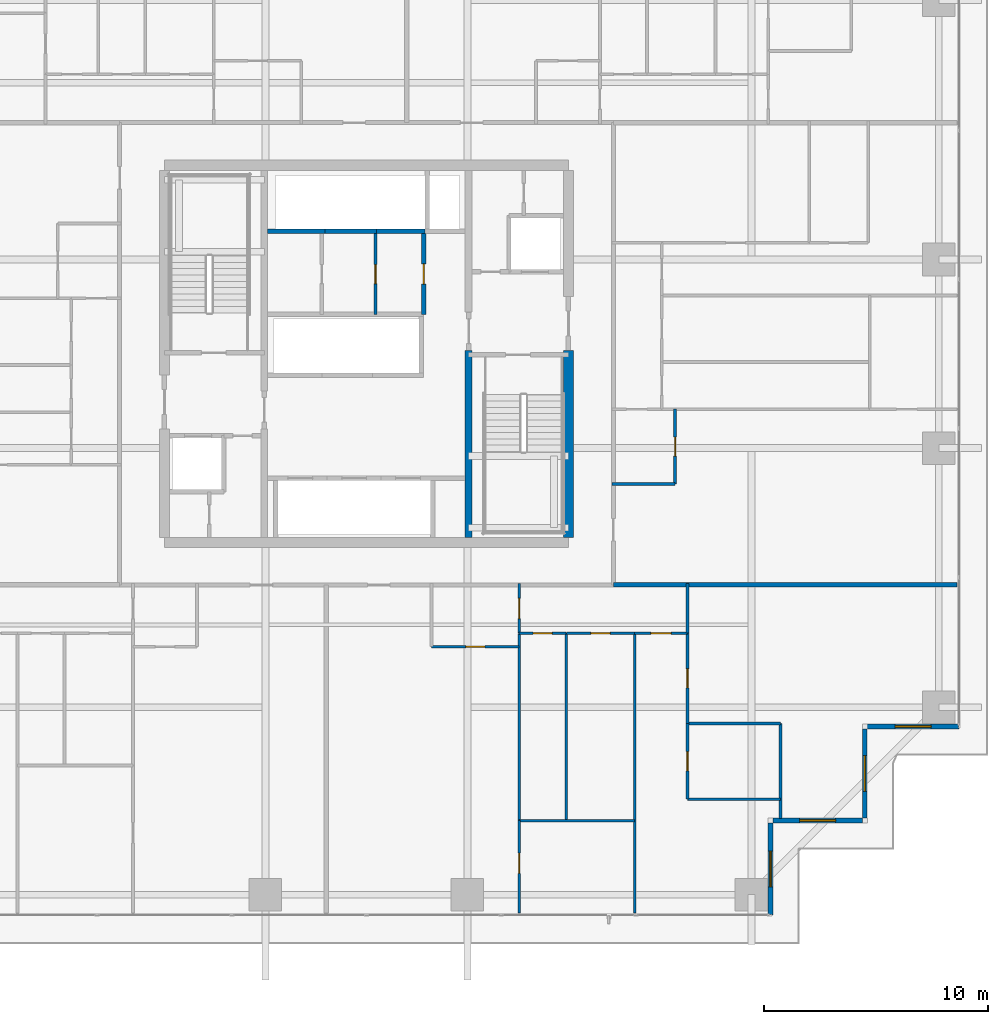
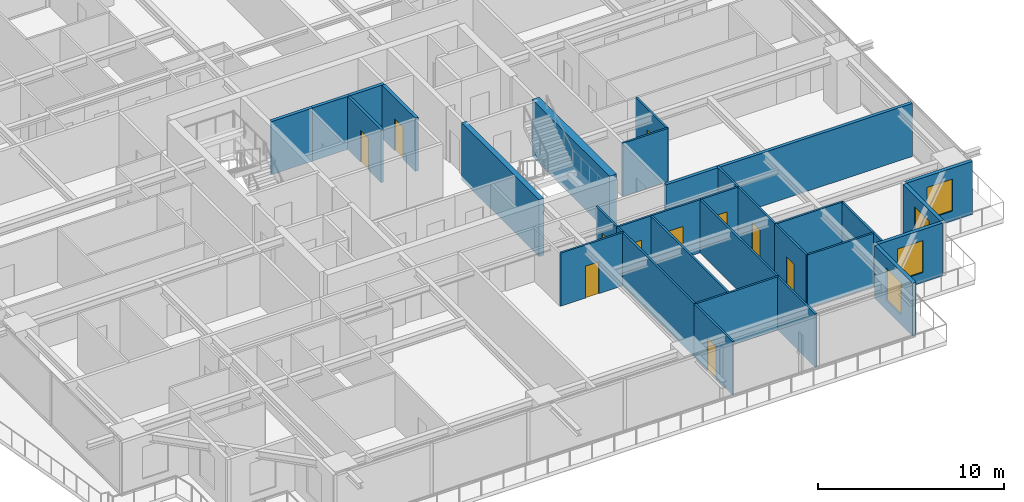
# One storey, part 25 of 36: 30 walls, 11 doors, 4 windows, 15 openings.
"""IFC4 building model written with IfcOpenShell, lengths in metres."""

from ifc_helpers import new_model, si_unit, direction, frame, frame_2d, origin, place, context, subcontext, project, spatial, rectangle, extrude, source, transform, mapped, material, layer, layer_set, type_object, element, fill, save


model = new_model("IFC4")

# Units and contexts
model_context = context("Model", 3, precision=1e-05, world=origin(), true_north=direction((0.0, 1.0)))
body_context = subcontext(model_context, "Body", "Model", "MODEL_VIEW")
ifc_project = project(units=[si_unit("LENGTHUNIT", "METRE"), si_unit("AREAUNIT", "SQUARE_METRE"), si_unit("VOLUMEUNIT", "CUBIC_METRE"), si_unit("PLANEANGLEUNIT", "RADIAN"), si_unit("MASSUNIT", "GRAM", prefix="KILO")], contexts=[model_context])

# Site, building, storey
site_placement = place(None, origin())
site = spatial("IfcSite", under=ifc_project, at=site_placement, CompositionType="ELEMENT")
building_placement = place(site_placement, origin())
building = spatial("IfcBuilding", under=site, at=building_placement, Name="Serunith Strait Residences", CompositionType="ELEMENT")
storey_placement = place(building_placement, frame((0.0, 0.0, 41.699951171875)))
storey = spatial("IfcBuildingStorey", under=building, at=storey_placement, Name="L09", CompositionType="ELEMENT", Elevation=41.699951171875)

# Wall, opening, window
ifc_material_1 = material(Name="Pale-Champagne Aluminium Insulated Panel", Category="aluminium")
ifc_layer_1 = layer(ifc_material_1, 0.219970703125, Name="Pale-Champagne Aluminium Insulated Panel")
ifc_layer_set_1 = layer_set([ifc_layer_1], Name="Pale-Champagne Aluminium Insulated Panel")
wall_type_1 = type_object("IfcWallType", Name="EW-ALUM-220", PredefinedType="ELEMENTEDWALL", material=ifc_layer_set_1)
wall_1_placement = place(storey_placement, frame((50.39990234375, 0.199951171875, 0.0), z_axis=(0.0, 0.0, 1.0), x_axis=(0.0, 1.0, 0.0)))
wall_1 = element("IfcWall", 1, at=wall_1_placement, inside=storey, type_object=wall_type_1, Name="L09 Girih Serrated Corner Wall 02", PredefinedType="ELEMENTEDWALL", context=body_context, shape_type="SweptSolid", body=[
    extrude(rectangle(XDim=4.090087890625, YDim=0.219970703125, at=frame_2d((2.044921875, 0.0))), origin(), (0.0, 0.0, 1.0), 3.47509765625),
])
opening_1_placement = place(wall_1_placement, frame((1.2451171875, 0.0, 0.64990234375)))
opening_1 = element("IfcOpeningElement", 2, at=opening_1_placement, cuts=wall_1, Name="Opening W-02", PredefinedType="OPENING", context=body_context, shape_type="SweptSolid", body=[
    extrude(rectangle(XDim=1.60009765625, YDim=2.10009765625, at=frame_2d((0.800048828125, 1.050048828125))), frame((0.0, 0.1201171875, 0.0), z_axis=(0.0, -1.0, 0.0), x_axis=(1.0, 0.0, 0.0)), (0.0, 0.0, 1.0), 0.239990234375),
])
ifc_material_2 = material(Name="Ceramic-Fritted Operable Aluminium Window Glass", Category="aluminium")
window_type = type_object("IfcWindowType", Name="WIN-C2", PartitioningType="DOUBLE_PANEL_VERTICAL", PredefinedType="WINDOW", material=ifc_material_2)
shared_shape_1 = source(origin(), body_context, "Body", "SweptSolid", [
    extrude(rectangle(XDim=1.60009765625, YDim=2.10009765625, at=frame_2d((0.800048828125, 1.050048828125))), frame((0.0, 0.030029296875, 0.0), z_axis=(0.0, -1.0, 0.0), x_axis=(1.0, 0.0, 0.0)), (0.0, 0.0, 1.0), 0.06005859375),
])
window_1_placement = place(opening_1_placement, origin())
window_1 = element("IfcWindow", 3, at=window_1_placement, inside=storey, type_object=window_type, Name="L09 Corner Operable Fritted Window 02", OverallHeight=2.10009765625, OverallWidth=1.60009765625, PartitioningType="SINGLE_PANEL", PredefinedType="WINDOW", context=body_context, shape_type="MappedRepresentation", body=[
    mapped(shared_shape_1, transform((0.0, 0.0, 0.0), scale=1.0)),
])
fill(opening_1, window_1)

wall_2_placement = place(storey_placement, frame((50.510009765625, 4.39990234375, 0.0), z_axis=(0.0, 0.0, 1.0), x_axis=(1.0, 0.0, 0.0)))
wall_2 = element("IfcWall", 4, at=wall_2_placement, inside=storey, type_object=wall_type_1, Name="L09 Girih Serrated Corner Wall 03", PredefinedType="ELEMENTEDWALL", context=body_context, shape_type="SweptSolid", body=[
    extrude(rectangle(XDim=3.97998046875, YDim=0.219970703125, at=frame_2d((1.989990234375, 0.0))), origin(), (0.0, 0.0, 1.0), 3.47509765625),
])
opening_2_placement = place(wall_2_placement, frame((1.18994140625, 0.0, 0.64990234375)))
opening_2 = element("IfcOpeningElement", 5, at=opening_2_placement, cuts=wall_2, Name="Opening W-02", PredefinedType="OPENING", context=body_context, shape_type="SweptSolid", body=[
    extrude(rectangle(XDim=1.60009765625, YDim=2.10009765625, at=frame_2d((0.800048828125, 1.050048828125))), frame((0.0, 0.1201171875, 0.0), z_axis=(0.0, -1.0, 0.0), x_axis=(1.0, 0.0, 0.0)), (0.0, 0.0, 1.0), 0.239990234375),
])
window_2_placement = place(opening_2_placement, origin())
window_2 = element("IfcWindow", 6, at=window_2_placement, inside=storey, type_object=window_type, Name="L09 Corner Operable Fritted Window 03", OverallHeight=2.10009765625, OverallWidth=1.60009765625, PartitioningType="SINGLE_PANEL", PredefinedType="WINDOW", context=body_context, shape_type="MappedRepresentation", body=[
    mapped(shared_shape_1, transform((0.0, 0.0, 0.0), scale=1.0)),
])
fill(opening_2, window_2)

wall_3_placement = place(storey_placement, frame((54.60009765625, 4.510009765625, 0.0), z_axis=(0.0, 0.0, 1.0), x_axis=(0.0, 1.0, 0.0)))
wall_3 = element("IfcWall", 7, at=wall_3_placement, inside=storey, type_object=wall_type_1, Name="L09 Girih Serrated Corner Wall 04", PredefinedType="ELEMENTEDWALL", context=body_context, shape_type="SweptSolid", body=[
    extrude(rectangle(XDim=3.97998046875, YDim=0.219970703125, at=frame_2d((1.989990234375, 0.0))), origin(), (0.0, 0.0, 1.0), 3.47509765625),
])
opening_3_placement = place(wall_3_placement, frame((1.18994140625, 0.0, 0.64990234375)))
opening_3 = element("IfcOpeningElement", 8, at=opening_3_placement, cuts=wall_3, Name="Opening W-02", PredefinedType="OPENING", context=body_context, shape_type="SweptSolid", body=[
    extrude(rectangle(XDim=1.60009765625, YDim=2.10009765625, at=frame_2d((0.800048828125, 1.050048828125))), frame((0.0, 0.1201171875, 0.0), z_axis=(0.0, -1.0, 0.0), x_axis=(1.0, 0.0, 0.0)), (0.0, 0.0, 1.0), 0.239990234375),
])
window_3_placement = place(opening_3_placement, origin())
window_3 = element("IfcWindow", 9, at=window_3_placement, inside=storey, type_object=window_type, Name="L09 Corner Operable Fritted Window 04", OverallHeight=2.10009765625, OverallWidth=1.60009765625, PartitioningType="SINGLE_PANEL", PredefinedType="WINDOW", context=body_context, shape_type="MappedRepresentation", body=[
    mapped(shared_shape_1, transform((0.0, 0.0, 0.0), scale=1.0)),
])
fill(opening_3, window_3)

wall_4_placement = place(storey_placement, frame((54.7099609375, 8.60009765625, 0.0), z_axis=(0.0, 0.0, 1.0), x_axis=(1.0, 0.0, 0.0)))
wall_4 = element("IfcWall", 10, at=wall_4_placement, inside=storey, type_object=wall_type_1, Name="L09 Girih Serrated Corner Wall 05", PredefinedType="ELEMENTEDWALL", context=body_context, shape_type="SweptSolid", body=[
    extrude(rectangle(XDim=4.090087890625, YDim=0.219970703125, at=frame_2d((2.044921875, 0.0))), origin(), (0.0, 0.0, 1.0), 3.47509765625),
])
opening_4_placement = place(wall_4_placement, frame((1.2451171875, 0.0, 0.64990234375)))
opening_4 = element("IfcOpeningElement", 11, at=opening_4_placement, cuts=wall_4, Name="Opening W-02", PredefinedType="OPENING", context=body_context, shape_type="SweptSolid", body=[
    extrude(rectangle(XDim=1.60009765625, YDim=2.10009765625, at=frame_2d((0.800048828125, 1.050048828125))), frame((0.0, 0.1201171875, 0.0), z_axis=(0.0, -1.0, 0.0), x_axis=(1.0, 0.0, 0.0)), (0.0, 0.0, 1.0), 0.239990234375),
])
window_4_placement = place(opening_4_placement, origin())
window_4 = element("IfcWindow", 12, at=window_4_placement, inside=storey, type_object=window_type, Name="L09 Corner Operable Fritted Window 05", OverallHeight=2.10009765625, OverallWidth=1.60009765625, PartitioningType="SINGLE_PANEL", PredefinedType="WINDOW", context=body_context, shape_type="MappedRepresentation", body=[
    mapped(shared_shape_1, transform((0.0, 0.0, 0.0), scale=1.0)),
])
fill(opening_4, window_4)

# Wall, opening, door
ifc_material_3 = material(Name="Fire-rated masonry service closet wall", Category="masonry")
ifc_layer_2 = layer(ifc_material_3, 0.14990234375, Name="Fire-rated masonry service closet wall")
ifc_layer_set_2 = layer_set([ifc_layer_2], Name="Fire-rated masonry service closet wall")
wall_type_2 = type_object("IfcWallType", Name="IW-BOH-150", PredefinedType="PARTITIONING", material=ifc_layer_set_2)
wall_5_placement = place(storey_placement, frame((32.800048828125, 26.949951171875, 0.0), z_axis=(0.0, 0.0, 1.0), x_axis=(0.0, 1.0, 0.0)))
wall_5 = element("IfcWall", 13, at=wall_5_placement, inside=storey, type_object=wall_type_2, Name="L09 Partition Wall 015", PredefinedType="PARTITIONING", context=body_context, shape_type="SweptSolid", body=[
    extrude(rectangle(XDim=3.60009765625, YDim=0.14990234375, at=frame_2d((1.800048828125, 0.0))), origin(), (0.0, 0.0, 1.0), 3.489990234375),
])
opening_5_placement = place(wall_5_placement, frame((1.375, 0.0, 0.0)))
opening_5 = element("IfcOpeningElement", 14, at=opening_5_placement, cuts=wall_5, Name="Opening FD-850", PredefinedType="OPENING", context=body_context, shape_type="SweptSolid", body=[
    extrude(rectangle(XDim=0.85009765625, YDim=2.10009765625, at=frame_2d((0.425048828125, 1.050048828125))), frame((0.0, 0.0849609375, 0.0), z_axis=(0.0, -1.0, 0.0), x_axis=(1.0, 0.0, 0.0)), (0.0, 0.0, 1.0), 0.169921875),
])
ifc_material_4 = material(Name="Powder-coated steel service closet door", Category="steel")
door_type_1 = type_object("IfcDoorType", Name="FD-BOH-850", OperationType="NOTDEFINED", PredefinedType="DOOR", material=ifc_material_4)
shared_shape_2 = source(origin(), body_context, "Body", "SweptSolid", [
    extrude(rectangle(XDim=0.85009765625, YDim=2.10009765625, at=frame_2d((0.425048828125, 1.050048828125))), frame((0.0, 0.02490234375, 0.0), z_axis=(0.0, -1.0, 0.0), x_axis=(1.0, 0.0, 0.0)), (0.0, 0.0, 1.0), 0.050048828125),
])
door_1_placement = place(opening_5_placement, origin())
door_1 = element("IfcDoor", 15, at=door_1_placement, inside=storey, type_object=door_type_1, Name="L09 Linen Store Door", OperationType="SINGLE_SWING_LEFT", OverallHeight=2.10009765625, OverallWidth=0.85009765625, PredefinedType="DOOR", context=body_context, shape_type="MappedRepresentation", body=[
    mapped(shared_shape_2, transform((0.0, 0.0, 0.0), scale=1.0)),
])
fill(opening_5, door_1)

ifc_material_5 = material(Name="Lightweight steel-stud gypsum partition", Category="steel")
ifc_layer_3 = layer(ifc_material_5, 0.1201171875, Name="Lightweight steel-stud gypsum partition")
ifc_layer_set_3 = layer_set([ifc_layer_3], Name="Lightweight steel-stud gypsum partition")
wall_type_3 = type_object("IfcWallType", Name="IW-PART-120", PredefinedType="PARTITIONING", material=ifc_layer_set_3)
wall_6_placement = place(storey_placement, frame((35.300048828125, 12.14990234375, 0.0), z_axis=(0.0, 0.0, 1.0), x_axis=(1.0, 0.0, 0.0)))
wall_6 = element("IfcWall", 16, at=wall_6_placement, inside=storey, type_object=wall_type_3, Name="L09 Partition Wall 044", PredefinedType="PARTITIONING", context=body_context, shape_type="SweptSolid", body=[
    extrude(rectangle(XDim=3.89990234375, YDim=0.1201171875, at=frame_2d((1.949951171875, 0.0))), origin(), (0.0, 0.0, 1.0), 3.489990234375),
])
opening_6_placement = place(wall_6_placement, frame((1.52490234375, 0.0, 0.0)))
opening_6 = element("IfcOpeningElement", 17, at=opening_6_placement, cuts=wall_6, Name="Opening D-RM850", PredefinedType="OPENING", context=body_context, shape_type="SweptSolid", body=[
    extrude(rectangle(XDim=0.85009765625, YDim=2.10009765625, at=frame_2d((0.425048828125, 1.050048828125))), frame((0.0, 0.070068359375, 0.0), z_axis=(0.0, -1.0, 0.0), x_axis=(1.0, 0.0, 0.0)), (0.0, 0.0, 1.0), 0.14013671875),
])
ifc_material_6 = material(Name="Engineered timber flush study and kitchen door", Category="wood")
door_type_2 = type_object("IfcDoorType", Name="ID-ROOM-850", OperationType="NOTDEFINED", PredefinedType="DOOR", material=ifc_material_6)
door_2_placement = place(opening_6_placement, origin())
door_2 = element("IfcDoor", 18, at=door_2_placement, inside=storey, type_object=door_type_2, Name="L09 Kitchen 0902 Door", OperationType="SINGLE_SWING_LEFT", OverallHeight=2.10009765625, OverallWidth=0.85009765625, PredefinedType="DOOR", context=body_context, shape_type="MappedRepresentation", body=[
    mapped(shared_shape_2, transform((0.0, 0.0, 0.0), scale=1.0)),
])
fill(opening_6, door_2)

wall_7_placement = place(storey_placement, frame((39.199951171875, 12.75, 0.0), z_axis=(0.0, 0.0, 1.0), x_axis=(0.0, 1.0, 0.0)))
wall_7 = element("IfcWall", 19, at=wall_7_placement, inside=storey, type_object=wall_type_3, Name="L09 Partition Wall 046", PredefinedType="PARTITIONING", context=body_context, shape_type="SweptSolid", body=[
    extrude(rectangle(XDim=2.2099609375, YDim=0.1201171875, at=frame_2d((1.10498046875, 0.0))), origin(), (0.0, 0.0, 1.0), 3.489990234375),
])
opening_7_placement = place(wall_7_placement, frame((0.655029296875, 0.0, 0.0)))
opening_7 = element("IfcOpeningElement", 20, at=opening_7_placement, cuts=wall_7, Name="Opening D-RM900", PredefinedType="OPENING", context=body_context, shape_type="SweptSolid", body=[
    extrude(rectangle(XDim=0.89990234375, YDim=2.10009765625, at=frame_2d((0.449951171875, 1.050048828125))), frame((0.0, 0.070068359375, 0.0), z_axis=(0.0, -1.0, 0.0), x_axis=(1.0, 0.0, 0.0)), (0.0, 0.0, 1.0), 0.14013671875),
])
ifc_material_7 = material(Name="Engineered timber flush bedroom door", Category="wood")
door_type_3 = type_object("IfcDoorType", Name="ID-ROOM-900", OperationType="NOTDEFINED", PredefinedType="DOOR", material=ifc_material_7)
shared_shape_3 = source(origin(), body_context, "Body", "SweptSolid", [
    extrude(rectangle(XDim=0.89990234375, YDim=2.10009765625, at=frame_2d((0.449951171875, 1.050048828125))), frame((0.0, 0.02490234375, 0.0), z_axis=(0.0, -1.0, 0.0), x_axis=(1.0, 0.0, 0.0)), (0.0, 0.0, 1.0), 0.050048828125),
])
door_3_placement = place(opening_7_placement, origin())
door_3 = element("IfcDoor", 21, at=door_3_placement, inside=storey, type_object=door_type_3, Name="L09 Hall E 0902 Door", OperationType="SINGLE_SWING_RIGHT", OverallHeight=2.10009765625, OverallWidth=0.89990234375, PredefinedType="DOOR", context=body_context, shape_type="MappedRepresentation", body=[
    mapped(shared_shape_3, transform((0.0, 0.0, 0.0), scale=1.0)),
])
fill(opening_7, door_3)

wall_8_placement = place(storey_placement, frame((39.199951171875, 0.294921875, 0.0), z_axis=(0.0, 0.0, 1.0), x_axis=(0.0, 1.0, 0.0)))
wall_8 = element("IfcWall", 22, at=wall_8_placement, inside=storey, type_object=wall_type_3, Name="L09 Partition Wall 047", PredefinedType="PARTITIONING", context=body_context, shape_type="SweptSolid", body=[
    extrude(rectangle(XDim=4.10009765625, YDim=0.1201171875, at=frame_2d((2.050048828125, 0.0))), origin(), (0.0, 0.0, 1.0), 3.489990234375),
])
opening_8_placement = place(wall_8_placement, frame((1.760009765625, 0.0, 0.0)))
opening_8 = element("IfcOpeningElement", 23, at=opening_8_placement, cuts=wall_8, Name="Opening D-RM900", PredefinedType="OPENING", context=body_context, shape_type="SweptSolid", body=[
    extrude(rectangle(XDim=0.89990234375, YDim=2.10009765625, at=frame_2d((0.449951171875, 1.050048828125))), frame((0.0, 0.070068359375, 0.0), z_axis=(0.0, -1.0, 0.0), x_axis=(1.0, 0.0, 0.0)), (0.0, 0.0, 1.0), 0.14013671875),
])
door_4_placement = place(opening_8_placement, origin())
door_4 = element("IfcDoor", 24, at=door_4_placement, inside=storey, type_object=door_type_3, Name="L09 Study 1 0902 Door", OperationType="SINGLE_SWING_LEFT", OverallHeight=2.10009765625, OverallWidth=0.89990234375, PredefinedType="DOOR", context=body_context, shape_type="MappedRepresentation", body=[
    mapped(shared_shape_3, transform((0.0, 0.0, 0.0), scale=1.0)),
])
fill(opening_8, door_4)

# Walls
wall_9_placement = place(storey_placement, frame((39.199951171875, 4.39697265625, 0.0), z_axis=(0.0, 0.0, 1.0), x_axis=(0.0, 1.0, 0.0)))
element("IfcWall", 25, at=wall_9_placement, inside=storey, type_object=wall_type_3, Name="L09 Partition Wall 048", PredefinedType="PARTITIONING", context=body_context, shape_type="SweptSolid", body=[
    extrude(rectangle(XDim=8.35107421875, YDim=0.1201171875, at=frame_2d((4.175537109375, 0.0))), origin(), (0.0, 0.0, 1.0), 3.489990234375),
])
wall_10_placement = place(storey_placement, frame((39.199951171875, 4.39501953125, 0.0), z_axis=(0.0, 0.0, 1.0), x_axis=(1.0, 0.0, 0.0)))
element("IfcWall", 26, at=wall_10_placement, inside=storey, type_object=wall_type_3, Name="L09 Partition Wall 049", PredefinedType="PARTITIONING", context=body_context, shape_type="SweptSolid", body=[
    extrude(rectangle(XDim=5.150146484375, YDim=0.1201171875, at=frame_2d((2.5751953125, 0.0))), origin(), (0.0, 0.0, 1.0), 3.489990234375),
])
wall_11_placement = place(storey_placement, frame((44.35009765625, 0.294921875, 0.0), z_axis=(0.0, 0.0, 1.0), x_axis=(0.0, 1.0, 0.0)))
element("IfcWall", 27, at=wall_11_placement, inside=storey, type_object=wall_type_3, Name="L09 Partition Wall 050", PredefinedType="PARTITIONING", context=body_context, shape_type="SweptSolid", body=[
    extrude(rectangle(XDim=12.455078125, YDim=0.1201171875, at=frame_2d((6.2275390625, 0.0))), origin(), (0.0, 0.0, 1.0), 3.489990234375),
])
wall_12_placement = place(storey_placement, frame((41.300048828125, 4.39501953125, 0.0), z_axis=(0.0, 0.0, 1.0), x_axis=(0.0, 1.0, 0.0)))
element("IfcWall", 28, at=wall_12_placement, inside=storey, type_object=wall_type_3, Name="L09 Partition Wall 051", PredefinedType="PARTITIONING", context=body_context, shape_type="SweptSolid", body=[
    extrude(rectangle(XDim=8.35498046875, YDim=0.1201171875, at=frame_2d((4.177490234375, 0.0))), origin(), (0.0, 0.0, 1.0), 3.489990234375),
])

# Wall, opening, door
wall_13_placement = place(storey_placement, frame((39.199951171875, 12.75, 0.0), z_axis=(0.0, 0.0, 1.0), x_axis=(1.0, 0.0, 0.0)))
wall_13 = element("IfcWall", 29, at=wall_13_placement, inside=storey, type_object=wall_type_3, Name="L09 Partition Wall 052", PredefinedType="PARTITIONING", context=body_context, shape_type="SweptSolid", body=[
    extrude(rectangle(XDim=2.10009765625, YDim=0.1201171875, at=frame_2d((1.050048828125, 0.0))), origin(), (0.0, 0.0, 1.0), 3.489990234375),
])
opening_9_placement = place(wall_13_placement, frame((0.625, 0.0, 0.0)))
opening_9 = element("IfcOpeningElement", 30, at=opening_9_placement, cuts=wall_13, Name="Opening D-BTH850", PredefinedType="OPENING", context=body_context, shape_type="SweptSolid", body=[
    extrude(rectangle(XDim=0.85009765625, YDim=2.10009765625, at=frame_2d((0.425048828125, 1.050048828125))), frame((0.0, 0.070068359375, 0.0), z_axis=(0.0, -1.0, 0.0), x_axis=(1.0, 0.0, 0.0)), (0.0, 0.0, 1.0), 0.14013671875),
])
ifc_material_8 = material(Name="Moisture-resistant timber bathroom door", Category="wood")
door_type_4 = type_object("IfcDoorType", Name="ID-BATH-850", OperationType="NOTDEFINED", PredefinedType="DOOR", material=ifc_material_8)
door_5_placement = place(opening_9_placement, origin())
door_5 = element("IfcDoor", 31, at=door_5_placement, inside=storey, type_object=door_type_4, Name="L09 Bathroom 0902 Door", OperationType="SINGLE_SWING_RIGHT", OverallHeight=2.10009765625, OverallWidth=0.85009765625, PredefinedType="DOOR", context=body_context, shape_type="MappedRepresentation", body=[
    mapped(shared_shape_2, transform((0.0, 0.0, 0.0), scale=1.0)),
])
fill(opening_9, door_5)

wall_14_placement = place(storey_placement, frame((41.302001953125, 12.75, 0.0), z_axis=(0.0, 0.0, 1.0), x_axis=(1.0, 0.0, 0.0)))
wall_14 = element("IfcWall", 32, at=wall_14_placement, inside=storey, type_object=wall_type_3, Name="L09 Partition Wall 053", PredefinedType="PARTITIONING", context=body_context, shape_type="SweptSolid", body=[
    extrude(rectangle(XDim=3.048095703125, YDim=0.1201171875, at=frame_2d((1.52392578125, 0.0))), origin(), (0.0, 0.0, 1.0), 3.489990234375),
])
opening_10_placement = place(wall_14_placement, frame((1.09912109375, 0.0, 0.0)))
opening_10 = element("IfcOpeningElement", 33, at=opening_10_placement, cuts=wall_14, Name="Opening D-RM850", PredefinedType="OPENING", context=body_context, shape_type="SweptSolid", body=[
    extrude(rectangle(XDim=0.85009765625, YDim=2.10009765625, at=frame_2d((0.425048828125, 1.050048828125))), frame((0.0, 0.070068359375, 0.0), z_axis=(0.0, -1.0, 0.0), x_axis=(1.0, 0.0, 0.0)), (0.0, 0.0, 1.0), 0.14013671875),
])
door_6_placement = place(opening_10_placement, origin())
door_6 = element("IfcDoor", 34, at=door_6_placement, inside=storey, type_object=door_type_2, Name="L09 Study 0902 Door", OperationType="SINGLE_SWING_LEFT", OverallHeight=2.10009765625, OverallWidth=0.85009765625, PredefinedType="DOOR", context=body_context, shape_type="MappedRepresentation", body=[
    mapped(shared_shape_2, transform((0.0, 0.0, 0.0), scale=1.0)),
])
fill(opening_10, door_6)

wall_15_placement = place(storey_placement, frame((44.35205078125, 12.75, 0.0), z_axis=(0.0, 0.0, 1.0), x_axis=(1.0, 0.0, 0.0)))
wall_15 = element("IfcWall", 35, at=wall_15_placement, inside=storey, type_object=wall_type_3, Name="L09 Partition Wall 054", PredefinedType="PARTITIONING", context=body_context, shape_type="SweptSolid", body=[
    extrude(rectangle(XDim=2.347900390625, YDim=0.1201171875, at=frame_2d((1.173828125, 0.0))), origin(), (0.0, 0.0, 1.0), 3.489990234375),
])
opening_11_placement = place(wall_15_placement, frame((0.72412109375, 0.0, 0.0)))
opening_11 = element("IfcOpeningElement", 36, at=opening_11_placement, cuts=wall_15, Name="Opening D-RM900", PredefinedType="OPENING", context=body_context, shape_type="SweptSolid", body=[
    extrude(rectangle(XDim=0.89990234375, YDim=2.10009765625, at=frame_2d((0.449951171875, 1.050048828125))), frame((0.0, 0.070068359375, 0.0), z_axis=(0.0, -1.0, 0.0), x_axis=(1.0, 0.0, 0.0)), (0.0, 0.0, 1.0), 0.14013671875),
])
door_7_placement = place(opening_11_placement, origin())
door_7 = element("IfcDoor", 37, at=door_7_placement, inside=storey, type_object=door_type_3, Name="L09 Master Bedroom E 0902 Door", OperationType="SINGLE_SWING_RIGHT", OverallHeight=2.10009765625, OverallWidth=0.89990234375, PredefinedType="DOOR", context=body_context, shape_type="MappedRepresentation", body=[
    mapped(shared_shape_3, transform((0.0, 0.0, 0.0), scale=1.0)),
])
fill(opening_11, door_7)

# Walls
wall_16_placement = place(storey_placement, frame((46.699951171875, 5.35791015625, 0.0), z_axis=(0.0, 0.0, 1.0), x_axis=(1.0, 0.0, 0.0)))
element("IfcWall", 38, at=wall_16_placement, inside=storey, type_object=wall_type_3, Name="L09 Partition Wall 055", PredefinedType="PARTITIONING", context=body_context, shape_type="SweptSolid", body=[
    extrude(rectangle(XDim=4.150146484375, YDim=0.1201171875, at=frame_2d((2.0751953125, 0.0))), origin(), (0.0, 0.0, 1.0), 3.489990234375),
])
wall_17_placement = place(storey_placement, frame((50.85009765625, 4.4951171875, 0.0), z_axis=(0.0, 0.0, 1.0), x_axis=(0.0, 1.0, 0.0)))
element("IfcWall", 39, at=wall_17_placement, inside=storey, type_object=wall_type_3, Name="L09 Partition Wall 056", PredefinedType="PARTITIONING", context=body_context, shape_type="SweptSolid", body=[
    extrude(rectangle(XDim=4.23583984375, YDim=0.1201171875, at=frame_2d((2.117919921875, 0.0))), origin(), (0.0, 0.0, 1.0), 3.489990234375),
])
wall_18_placement = place(storey_placement, frame((46.699951171875, 8.73095703125, 0.0), z_axis=(0.0, 0.0, 1.0), x_axis=(1.0, 0.0, 0.0)))
element("IfcWall", 40, at=wall_18_placement, inside=storey, type_object=wall_type_3, Name="L09 Partition Wall 057", PredefinedType="PARTITIONING", context=body_context, shape_type="SweptSolid", body=[
    extrude(rectangle(XDim=4.150146484375, YDim=0.1201171875, at=frame_2d((2.0751953125, 0.0))), origin(), (0.0, 0.0, 1.0), 3.489990234375),
])

# Wall, opening, door
wall_19_placement = place(storey_placement, frame((46.699951171875, 5.35791015625, 0.0), z_axis=(0.0, 0.0, 1.0), x_axis=(0.0, 1.0, 0.0)))
wall_19 = element("IfcWall", 41, at=wall_19_placement, inside=storey, type_object=wall_type_3, Name="L09 Partition Wall 058", PredefinedType="PARTITIONING", context=body_context, shape_type="SweptSolid", body=[
    extrude(rectangle(XDim=3.373046875, YDim=0.1201171875, at=frame_2d((1.6865234375, 0.0))), origin(), (0.0, 0.0, 1.0), 3.489990234375),
])
opening_12_placement = place(wall_19_placement, frame((1.261962890625, 0.0, 0.0)))
opening_12 = element("IfcOpeningElement", 42, at=opening_12_placement, cuts=wall_19, Name="Opening D-BTH850", PredefinedType="OPENING", context=body_context, shape_type="SweptSolid", body=[
    extrude(rectangle(XDim=0.85009765625, YDim=2.10009765625, at=frame_2d((0.425048828125, 1.050048828125))), frame((0.0, 0.070068359375, 0.0), z_axis=(0.0, -1.0, 0.0), x_axis=(1.0, 0.0, 0.0)), (0.0, 0.0, 1.0), 0.14013671875),
])
door_8_placement = place(opening_12_placement, origin())
door_8 = element("IfcDoor", 43, at=door_8_placement, inside=storey, type_object=door_type_4, Name="L09 En-suite Bathroom E 0902 Door", OperationType="SINGLE_SWING_LEFT", OverallHeight=2.10009765625, OverallWidth=0.85009765625, PredefinedType="DOOR", context=body_context, shape_type="MappedRepresentation", body=[
    mapped(shared_shape_2, transform((0.0, 0.0, 0.0), scale=1.0)),
])
fill(opening_12, door_8)

wall_20_placement = place(storey_placement, frame((46.699951171875, 8.73291015625, 0.0), z_axis=(0.0, 0.0, 1.0), x_axis=(0.0, 1.0, 0.0)))
wall_20 = element("IfcWall", 44, at=wall_20_placement, inside=storey, type_object=wall_type_3, Name="L09 Partition Wall 059", PredefinedType="PARTITIONING", context=body_context, shape_type="SweptSolid", body=[
    extrude(rectangle(XDim=4.01708984375, YDim=0.1201171875, at=frame_2d((2.008544921875, 0.0))), origin(), (0.0, 0.0, 1.0), 3.489990234375),
])
opening_13_placement = place(wall_20_placement, frame((1.5830078125, 0.0, 0.0)))
opening_13 = element("IfcOpeningElement", 45, at=opening_13_placement, cuts=wall_20, Name="Opening D-RM850", PredefinedType="OPENING", context=body_context, shape_type="SweptSolid", body=[
    extrude(rectangle(XDim=0.85009765625, YDim=2.10009765625, at=frame_2d((0.425048828125, 1.050048828125))), frame((0.0, 0.070068359375, 0.0), z_axis=(0.0, -1.0, 0.0), x_axis=(1.0, 0.0, 0.0)), (0.0, 0.0, 1.0), 0.14013671875),
])
door_9_placement = place(opening_13_placement, origin())
door_9 = element("IfcDoor", 46, at=door_9_placement, inside=storey, type_object=door_type_2, Name="L09 Wardrobe E 0902 Door", OperationType="SINGLE_SWING_RIGHT", OverallHeight=2.10009765625, OverallWidth=0.85009765625, PredefinedType="DOOR", context=body_context, shape_type="MappedRepresentation", body=[
    mapped(shared_shape_2, transform((0.0, 0.0, 0.0), scale=1.0)),
])
fill(opening_13, door_9)

# Wall
wall_21_placement = place(storey_placement, frame((46.699951171875, 12.751953125, 0.0), z_axis=(0.0, 0.0, 1.0), x_axis=(0.0, 1.0, 0.0)))
element("IfcWall", 47, at=wall_21_placement, inside=storey, type_object=wall_type_3, Name="L09 Partition Wall 060", PredefinedType="PARTITIONING", context=body_context, shape_type="SweptSolid", body=[
    extrude(rectangle(XDim=2.2080078125, YDim=0.1201171875, at=frame_2d((1.10400390625, 0.0))), origin(), (0.0, 0.0, 1.0), 3.489990234375),
])

# Wall, opening, door
wall_22_placement = place(storey_placement, frame((46.14990234375, 19.39990234375, 0.0), z_axis=(0.0, 0.0, 1.0), x_axis=(0.0, 1.0, 0.0)))
wall_22 = element("IfcWall", 48, at=wall_22_placement, inside=storey, type_object=wall_type_3, Name="L09 Partition Wall 111", PredefinedType="PARTITIONING", context=body_context, shape_type="SweptSolid", body=[
    extrude(rectangle(XDim=3.330078125, YDim=0.1201171875, at=frame_2d((1.6650390625, 0.0))), origin(), (0.0, 0.0, 1.0), 3.489990234375),
])
opening_14_placement = place(wall_22_placement, frame((1.239990234375, 0.0, 0.0)))
opening_14 = element("IfcOpeningElement", 49, at=opening_14_placement, cuts=wall_22, Name="Opening D-RM850", PredefinedType="OPENING", context=body_context, shape_type="SweptSolid", body=[
    extrude(rectangle(XDim=0.85009765625, YDim=2.10009765625, at=frame_2d((0.425048828125, 1.050048828125))), frame((0.0, 0.070068359375, 0.0), z_axis=(0.0, -1.0, 0.0), x_axis=(1.0, 0.0, 0.0)), (0.0, 0.0, 1.0), 0.14013671875),
])
door_10_placement = place(opening_14_placement, origin())
door_10 = element("IfcDoor", 50, at=door_10_placement, inside=storey, type_object=door_type_2, Name="L09 Kitchen 0906 Door", OperationType="SINGLE_SWING_LEFT", OverallHeight=2.10009765625, OverallWidth=0.85009765625, PredefinedType="DOOR", context=body_context, shape_type="MappedRepresentation", body=[
    mapped(shared_shape_2, transform((0.0, 0.0, 0.0), scale=1.0)),
])
fill(opening_14, door_10)

# Walls
wall_23_placement = place(storey_placement, frame((46.14990234375, 19.39990234375, 0.0), z_axis=(0.0, 0.0, 1.0), x_axis=(-1.0, 0.0, 0.0)))
element("IfcWall", 51, at=wall_23_placement, inside=storey, type_object=wall_type_3, Name="L09 Partition Wall 112", PredefinedType="PARTITIONING", context=body_context, shape_type="SweptSolid", body=[
    extrude(rectangle(XDim=2.809814453125, YDim=0.1201171875, at=frame_2d((1.40478515625, 0.0))), origin(), (0.0, 0.0, 1.0), 3.489990234375),
])
ifc_material_9 = material(Name="Twin-stud acoustic gypsum board partition")
ifc_layer_4 = layer(ifc_material_9, 0.199951171875, Name="Twin-stud acoustic gypsum board partition")
ifc_layer_set_4 = layer_set([ifc_layer_4], Name="Twin-stud acoustic gypsum board partition")
wall_type_4 = type_object("IfcWallType", Name="IW-PARTY-200", PredefinedType="PARTITIONING", material=ifc_layer_set_4)
wall_24_placement = place(storey_placement, frame((43.39990234375, 14.89990234375, 0.0), z_axis=(0.0, 0.0, 1.0), x_axis=(1.0, 0.0, 0.0)))
element("IfcWall", 52, at=wall_24_placement, inside=storey, type_object=wall_type_4, Name="L09 Partition Wall 020", PredefinedType="PARTITIONING", context=body_context, shape_type="SweptSolid", body=[
    extrude(rectangle(XDim=15.318115234375, YDim=0.199951171875, at=frame_2d((7.6591796875, 0.0))), origin(), (0.0, 0.0, 1.0), 3.489990234375),
])
ifc_material_10 = material(Name="Autoclaved aerated concrete blockwork", Category="masonry")
ifc_layer_5 = layer(ifc_material_10, 0.199951171875, Name="Autoclaved aerated concrete blockwork")
ifc_layer_set_5 = layer_set([ifc_layer_5], Name="Autoclaved aerated concrete blockwork")
wall_type_5 = type_object("IfcWallType", Name="IW-SHAFT-200", PredefinedType="STANDARD", material=ifc_layer_set_5)
wall_25_placement = place(storey_placement, frame((28.0, 30.64990234375, 0.0), z_axis=(0.0, 0.0, 1.0), x_axis=(1.0, 0.0, 0.0)))
element("IfcWall", 53, at=wall_25_placement, inside=storey, type_object=wall_type_5, Name="L09 PL-7 South Shaft Wall", PredefinedType="STANDARD", context=body_context, shape_type="SweptSolid", body=[
    extrude(rectangle(XDim=2.550048828125, YDim=0.199951171875, at=frame_2d((1.27490234375, 0.0))), origin(), (0.0, 0.0, 1.0), 3.489990234375),
])
wall_26_placement = place(storey_placement, frame((30.550048828125, 30.64990234375, 0.0), z_axis=(0.0, 0.0, 1.0), x_axis=(1.0, 0.0, 0.0)))
element("IfcWall", 54, at=wall_26_placement, inside=storey, type_object=wall_type_5, Name="L09 PL-8 South Shaft Wall", PredefinedType="STANDARD", context=body_context, shape_type="SweptSolid", body=[
    extrude(rectangle(XDim=2.300048828125, YDim=0.199951171875, at=frame_2d((1.14990234375, 0.0))), origin(), (0.0, 0.0, 1.0), 3.489990234375),
])
wall_27_placement = place(storey_placement, frame((32.85009765625, 30.64990234375, 0.0), z_axis=(0.0, 0.0, 1.0), x_axis=(1.0, 0.0, 0.0)))
element("IfcWall", 55, at=wall_27_placement, inside=storey, type_object=wall_type_5, Name="L09 PL-9 South Shaft Wall", PredefinedType="STANDARD", context=body_context, shape_type="SweptSolid", body=[
    extrude(rectangle(XDim=2.14990234375, YDim=0.199951171875, at=frame_2d((1.074951171875, 0.0))), origin(), (0.0, 0.0, 1.0), 3.489990234375),
])

# Wall, opening, door
wall_28_placement = place(storey_placement, frame((34.949951171875, 26.949951171875, 0.0), z_axis=(0.0, 0.0, 1.0), x_axis=(0.0, 1.0, 0.0)))
wall_28 = element("IfcWall", 56, at=wall_28_placement, inside=storey, type_object=wall_type_5, Name="L09 Partition Wall 014", PredefinedType="STANDARD", context=body_context, shape_type="SweptSolid", body=[
    extrude(rectangle(XDim=3.60009765625, YDim=0.199951171875, at=frame_2d((1.800048828125, 0.0))), origin(), (0.0, 0.0, 1.0), 3.489990234375),
])
opening_15_placement = place(wall_28_placement, frame((1.35009765625, 0.0, 0.0)))
opening_15 = element("IfcOpeningElement", 57, at=opening_15_placement, cuts=wall_28, Name="Opening FD-900", PredefinedType="OPENING", context=body_context, shape_type="SweptSolid", body=[
    extrude(rectangle(XDim=0.89990234375, YDim=2.10009765625, at=frame_2d((0.449951171875, 1.050048828125))), frame((0.0, 0.10986328125, 0.0), z_axis=(0.0, -1.0, 0.0), x_axis=(1.0, 0.0, 0.0)), (0.0, 0.0, 1.0), 0.219970703125),
])
ifc_material_11 = material(Name="Powder-coated steel riser door", Category="steel")
door_type_5 = type_object("IfcDoorType", Name="FD-BOH-900", OperationType="NOTDEFINED", PredefinedType="DOOR", material=ifc_material_11)
door_11_placement = place(opening_15_placement, origin())
door_11 = element("IfcDoor", 58, at=door_11_placement, inside=storey, type_object=door_type_5, Name="L09 Janitorial Store Door", OperationType="SINGLE_SWING_RIGHT", OverallHeight=2.10009765625, OverallWidth=0.89990234375, PredefinedType="DOOR", context=body_context, shape_type="MappedRepresentation", body=[
    mapped(shared_shape_3, transform((0.0, 0.0, 0.0), scale=1.0)),
])
fill(opening_15, door_11)

# Walls
ifc_material_12 = material(Name="Concrete C80/95", Category="concrete")
ifc_layer_6 = layer(ifc_material_12, 0.300048828125, Name="Concrete C80/95")
ifc_layer_set_6 = layer_set([ifc_layer_6], Name="Concrete C80/95")
wall_type_6 = type_object("IfcWallType", Name="SW-300-C80", PredefinedType="SHEAR", material=ifc_layer_set_6)
wall_29_placement = place(storey_placement, frame((36.949951171875, 17.02490234375, -0.260009765625), z_axis=(0.0, 0.0, 1.0), x_axis=(0.0, 1.0, 0.0)))
element("IfcWall", 59, at=wall_29_placement, inside=storey, type_object=wall_type_6, Name="L09 Core Internal East Web South Pier", PredefinedType="SHEAR", context=body_context, shape_type="SweptSolid", body=[
    extrude(rectangle(XDim=8.3251953125, YDim=0.300048828125, at=frame_2d((4.16259765625, 0.0))), origin(), (0.0, 0.0, 1.0), 3.748046875),
])
ifc_layer_7 = layer(ifc_material_12, 0.449951171875, Name="Concrete C80/95")
ifc_layer_set_7 = layer_set([ifc_layer_7], Name="Concrete C80/95")
wall_type_7 = type_object("IfcWallType", Name="SW-450-C80", PredefinedType="SHEAR", material=ifc_layer_set_7)
wall_30_placement = place(storey_placement, frame((41.39990234375, 17.02490234375, -0.260009765625), z_axis=(0.0, 0.0, 1.0), x_axis=(0.0, 1.0, 0.0)))
element("IfcWall", 60, at=wall_30_placement, inside=storey, type_object=wall_type_7, Name="L09 Core East Shear Wall South Pier", PredefinedType="SHEAR", context=body_context, shape_type="SweptSolid", body=[
    extrude(rectangle(XDim=8.3251953125, YDim=0.449951171875, at=frame_2d((4.16259765625, 0.0))), origin(), (0.0, 0.0, 1.0), 3.748046875),
])

save(model, "model.ifc")
